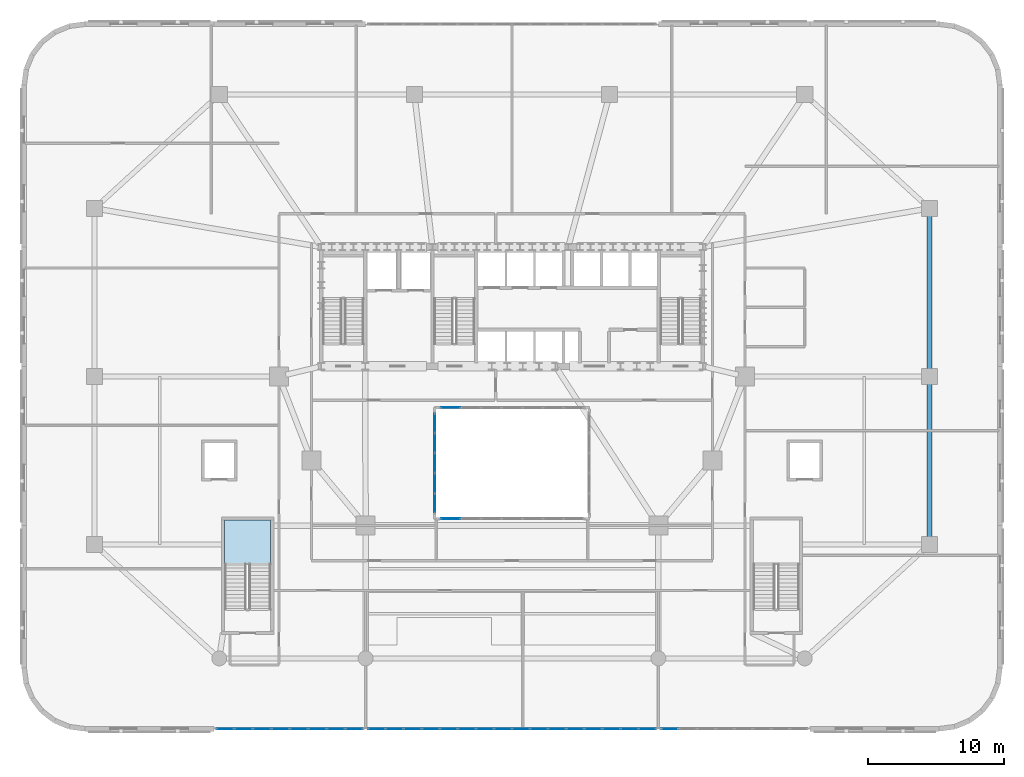
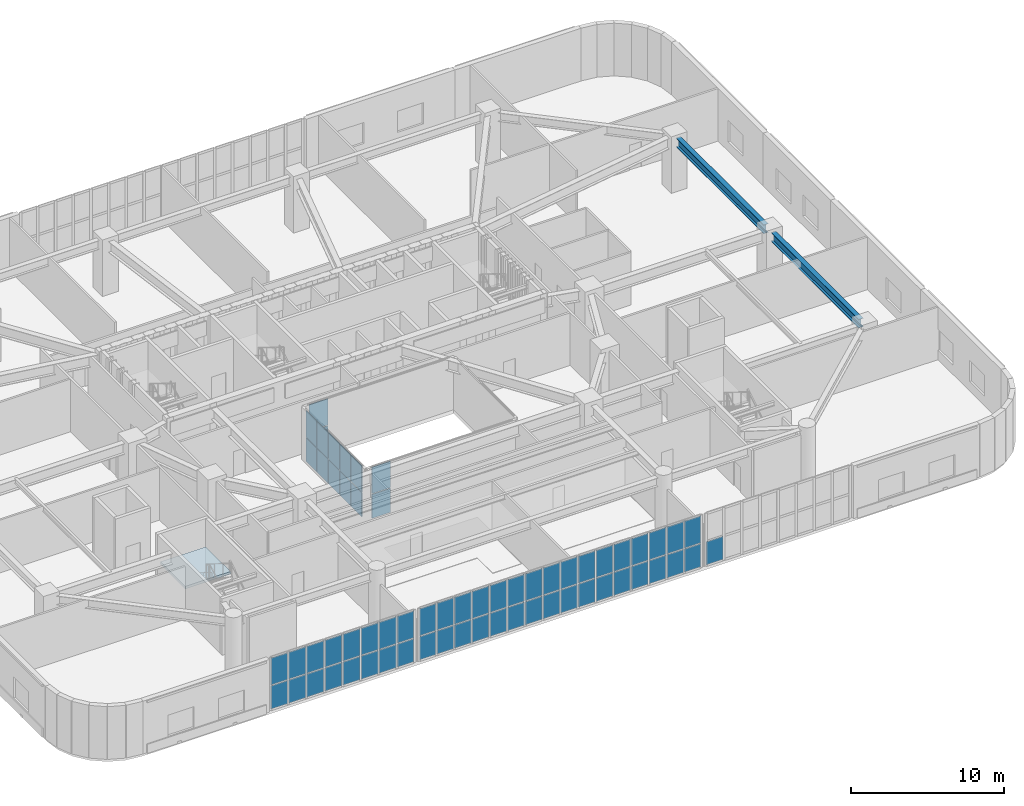
# One storey, part 11 of 25: 63 plates, 2 beams, 1 slab, 7 elements without a shape of their own.
"""IFC4 building model written with IfcOpenShell, lengths in metres."""

from ifc_helpers import new_model, si_unit, direction, frame, origin, origin_2d, place, context, subcontext, project, spatial, polyline, rectangle, i_section, outline, extrude, material, layer, layer_set, material_profile, profile_set, type_object, element, aggregate, save


model = new_model("IFC4")

# Units and contexts
model_context = context("Model", 3, precision=1e-05, world=origin(), true_north=direction((0.0, 1.0)))
body_context = subcontext(model_context, "Body", "Model", "MODEL_VIEW")
ifc_project = project(units=[si_unit("LENGTHUNIT", "METRE"), si_unit("AREAUNIT", "SQUARE_METRE"), si_unit("VOLUMEUNIT", "CUBIC_METRE"), si_unit("PLANEANGLEUNIT", "RADIAN"), si_unit("MASSUNIT", "GRAM", prefix="KILO")], contexts=[model_context])

# Site, building, storey
site_placement = place(None, origin())
site = spatial("IfcSite", under=ifc_project, at=site_placement, CompositionType="ELEMENT")
building_placement = place(site_placement, origin())
building = spatial("IfcBuilding", under=site, at=building_placement, Name="Haldorwick Loom Tower", CompositionType="ELEMENT")
storey_placement = place(building_placement, frame((0.0, 0.0, 10.5)))
storey = spatial("IfcBuildingStorey", under=building, at=storey_placement, Name="L02", CompositionType="ELEMENT", Elevation=10.5)

# Beams
ifc_material_1 = material(Name="Steel CSA G40.21 350W", Category="steel")
ifc_material_profile = material_profile(ifc_material_1, i_section(OverallWidth=0.35498046875, OverallDepth=0.695068359375, WebThickness=0.015380859375, FlangeThickness=0.02490234375, at=origin_2d()), Name="W690X217", Category="steel")
ifc_profile_set = profile_set([ifc_material_profile], Name="Steel CSA G40.21 350W")
beam_type = type_object("IfcBeamType", Name="STR-BM-SP690", PredefinedType="SPANDREL", material=ifc_profile_set)
for number, where, z_axis, x_axis, name in (
    (1, (66.800048828125, 14.080078125, 3.8525390625), (0.0, 1.0, 0.0), (-1.0, 0.0, 0.0), "L02 Podium Spandrel PSP-E1"),
    (2, (66.800048828125, 26.47998046875, 3.8525390625), (0.0, 1.0, 0.0), (-1.0, 0.0, 0.0), "L02 Podium Spandrel PSP-E2"),
):
    element("IfcBeam", number, at=place(storey_placement, frame(where, z_axis=z_axis, x_axis=x_axis)), inside=storey, type_object=beam_type, Name=name, PredefinedType="SPANDREL", context=body_context, shape_type="SweptSolid", body=[
        extrude(i_section(OverallWidth=0.35498046875, OverallDepth=0.695068359375, WebThickness=0.015380859375, FlangeThickness=0.02490234375, at=origin_2d()), origin(), (0.0, 0.0, 1.0), 11.43994140625),
    ])

# Curtain wall, plates
ifc_material_2 = material(Name="Thermally Broken Anodized Aluminium Curtain Wall Framing", Category="aluminium")
curtain_wall_type_1 = type_object("IfcCurtainWallType", Name="ARC-CW-02", PredefinedType="NOTDEFINED", material=ifc_material_2)
curtain_wall_1_placement = place(storey_placement, origin())
curtain_wall_1 = element("IfcCurtainWall", 3, at=curtain_wall_1_placement, inside=storey, type_object=curtain_wall_type_1, Name="L02 Facade Curtain Wall CW-02 Bay 39", PredefinedType="NOTDEFINED")
ifc_material_3 = material(Name="Triple-Glazed Low-E Argon Insulated Glazing Unit", Category="glass")
ifc_layer_1 = layer(ifc_material_3, 0.0400390625, Name="Triple-Glazed Low-E Argon Insulated Glazing Unit", Category="glass")
ifc_layer_set_1 = layer_set([ifc_layer_1], Name="Triple-Glazed Low-E Argon Insulated Glazing Unit")
plate_type_1 = type_object("IfcPlateType", Name="ARC-CWP-02", PredefinedType="CURTAIN_PANEL", material=ifc_layer_set_1)
plate_1_placement = place(storey_placement, frame((14.840087890625, 0.0, 0.06982421875), z_axis=(0.0, 0.0, 1.0), x_axis=(1.0, 0.0, 0.0)))
plate_1 = element("IfcPlate", 4, at=plate_1_placement, type_object=plate_type_1, Name="CW-02 panel 1.1", PredefinedType="CURTAIN_PANEL", context=body_context, shape_type="SweptSolid", body=[
    extrude(rectangle(XDim=1.260009765625, YDim=0.0400390625, at=origin_2d()), origin(), (0.0, 0.0, 1.0), 1.844970703125),
])
plate_2_placement = place(storey_placement, frame((14.840087890625, 0.0, 1.985107421875), z_axis=(0.0, 0.0, 1.0), x_axis=(1.0, 0.0, 0.0)))
plate_2 = element("IfcPlate", 5, at=plate_2_placement, type_object=plate_type_1, Name="CW-02 panel 1.2", PredefinedType="CURTAIN_PANEL", context=body_context, shape_type="SweptSolid", body=[
    extrude(rectangle(XDim=1.260009765625, YDim=0.0400390625, at=origin_2d()), origin(), (0.0, 0.0, 1.0), 2.14501953125),
])
plate_3_placement = place(storey_placement, frame((16.1875, 0.0, 0.06982421875), z_axis=(0.0, 0.0, 1.0), x_axis=(1.0, 0.0, 0.0)))
plate_3 = element("IfcPlate", 6, at=plate_3_placement, type_object=plate_type_1, Name="CW-02 panel 2.1", PredefinedType="CURTAIN_PANEL", context=body_context, shape_type="SweptSolid", body=[
    extrude(rectangle(XDim=1.294921875, YDim=0.0400390625, at=origin_2d()), origin(), (0.0, 0.0, 1.0), 1.844970703125),
])
plate_4_placement = place(storey_placement, frame((16.1875, 0.0, 1.985107421875), z_axis=(0.0, 0.0, 1.0), x_axis=(1.0, 0.0, 0.0)))
plate_4 = element("IfcPlate", 7, at=plate_4_placement, type_object=plate_type_1, Name="CW-02 panel 2.2", PredefinedType="CURTAIN_PANEL", context=body_context, shape_type="SweptSolid", body=[
    extrude(rectangle(XDim=1.294921875, YDim=0.0400390625, at=origin_2d()), origin(), (0.0, 0.0, 1.0), 2.14501953125),
])
plate_5_placement = place(storey_placement, frame((17.552490234375, 0.0, 0.06982421875), z_axis=(0.0, 0.0, 1.0), x_axis=(1.0, 0.0, 0.0)))
plate_5 = element("IfcPlate", 8, at=plate_5_placement, type_object=plate_type_1, Name="CW-02 panel 3.1", PredefinedType="CURTAIN_PANEL", context=body_context, shape_type="SweptSolid", body=[
    extrude(rectangle(XDim=1.294921875, YDim=0.0400390625, at=origin_2d()), origin(), (0.0, 0.0, 1.0), 1.844970703125),
])
plate_6_placement = place(storey_placement, frame((17.552490234375, 0.0, 1.985107421875), z_axis=(0.0, 0.0, 1.0), x_axis=(1.0, 0.0, 0.0)))
plate_6 = element("IfcPlate", 9, at=plate_6_placement, type_object=plate_type_1, Name="CW-02 panel 3.2", PredefinedType="CURTAIN_PANEL", context=body_context, shape_type="SweptSolid", body=[
    extrude(rectangle(XDim=1.294921875, YDim=0.0400390625, at=origin_2d()), origin(), (0.0, 0.0, 1.0), 2.14501953125),
])
plate_7_placement = place(storey_placement, frame((18.91748046875, 0.0, 0.06982421875), z_axis=(0.0, 0.0, 1.0), x_axis=(1.0, 0.0, 0.0)))
plate_7 = element("IfcPlate", 10, at=plate_7_placement, type_object=plate_type_1, Name="CW-02 panel 4.1", PredefinedType="CURTAIN_PANEL", context=body_context, shape_type="SweptSolid", body=[
    extrude(rectangle(XDim=1.294921875, YDim=0.0400390625, at=origin_2d()), origin(), (0.0, 0.0, 1.0), 1.844970703125),
])
plate_8_placement = place(storey_placement, frame((18.91748046875, 0.0, 1.985107421875), z_axis=(0.0, 0.0, 1.0), x_axis=(1.0, 0.0, 0.0)))
plate_8 = element("IfcPlate", 11, at=plate_8_placement, type_object=plate_type_1, Name="CW-02 panel 4.2", PredefinedType="CURTAIN_PANEL", context=body_context, shape_type="SweptSolid", body=[
    extrude(rectangle(XDim=1.294921875, YDim=0.0400390625, at=origin_2d()), origin(), (0.0, 0.0, 1.0), 2.14501953125),
])
plate_9_placement = place(storey_placement, frame((20.282470703125, 0.0, 0.06982421875), z_axis=(0.0, 0.0, 1.0), x_axis=(1.0, 0.0, 0.0)))
plate_9 = element("IfcPlate", 12, at=plate_9_placement, type_object=plate_type_1, Name="CW-02 panel 5.1", PredefinedType="CURTAIN_PANEL", context=body_context, shape_type="SweptSolid", body=[
    extrude(rectangle(XDim=1.294921875, YDim=0.0400390625, at=origin_2d()), origin(), (0.0, 0.0, 1.0), 1.844970703125),
])
plate_10_placement = place(storey_placement, frame((20.282470703125, 0.0, 1.985107421875), z_axis=(0.0, 0.0, 1.0), x_axis=(1.0, 0.0, 0.0)))
plate_10 = element("IfcPlate", 13, at=plate_10_placement, type_object=plate_type_1, Name="CW-02 panel 5.2", PredefinedType="CURTAIN_PANEL", context=body_context, shape_type="SweptSolid", body=[
    extrude(rectangle(XDim=1.294921875, YDim=0.0400390625, at=origin_2d()), origin(), (0.0, 0.0, 1.0), 2.14501953125),
])
plate_11_placement = place(storey_placement, frame((21.6474609375, 0.0, 0.06982421875), z_axis=(0.0, 0.0, 1.0), x_axis=(1.0, 0.0, 0.0)))
plate_11 = element("IfcPlate", 14, at=plate_11_placement, type_object=plate_type_1, Name="CW-02 panel 6.1", PredefinedType="CURTAIN_PANEL", context=body_context, shape_type="SweptSolid", body=[
    extrude(rectangle(XDim=1.294921875, YDim=0.0400390625, at=origin_2d()), origin(), (0.0, 0.0, 1.0), 1.844970703125),
])
plate_12_placement = place(storey_placement, frame((21.6474609375, 0.0, 1.985107421875), z_axis=(0.0, 0.0, 1.0), x_axis=(1.0, 0.0, 0.0)))
plate_12 = element("IfcPlate", 15, at=plate_12_placement, type_object=plate_type_1, Name="CW-02 panel 6.2", PredefinedType="CURTAIN_PANEL", context=body_context, shape_type="SweptSolid", body=[
    extrude(rectangle(XDim=1.294921875, YDim=0.0400390625, at=origin_2d()), origin(), (0.0, 0.0, 1.0), 2.14501953125),
])
plate_13_placement = place(storey_placement, frame((23.012451171875, 0.0, 0.06982421875), z_axis=(0.0, 0.0, 1.0), x_axis=(1.0, 0.0, 0.0)))
plate_13 = element("IfcPlate", 16, at=plate_13_placement, type_object=plate_type_1, Name="CW-02 panel 7.1", PredefinedType="CURTAIN_PANEL", context=body_context, shape_type="SweptSolid", body=[
    extrude(rectangle(XDim=1.294921875, YDim=0.0400390625, at=origin_2d()), origin(), (0.0, 0.0, 1.0), 1.844970703125),
])
plate_14_placement = place(storey_placement, frame((23.012451171875, 0.0, 1.985107421875), z_axis=(0.0, 0.0, 1.0), x_axis=(1.0, 0.0, 0.0)))
plate_14 = element("IfcPlate", 17, at=plate_14_placement, type_object=plate_type_1, Name="CW-02 panel 7.2", PredefinedType="CURTAIN_PANEL", context=body_context, shape_type="SweptSolid", body=[
    extrude(rectangle(XDim=1.294921875, YDim=0.0400390625, at=origin_2d()), origin(), (0.0, 0.0, 1.0), 2.14501953125),
])
plate_15_placement = place(storey_placement, frame((24.360107421875, 0.0, 0.06982421875), z_axis=(0.0, 0.0, 1.0), x_axis=(1.0, 0.0, 0.0)))
plate_15 = element("IfcPlate", 18, at=plate_15_placement, type_object=plate_type_1, Name="CW-02 panel 8.1", PredefinedType="CURTAIN_PANEL", context=body_context, shape_type="SweptSolid", body=[
    extrude(rectangle(XDim=1.260009765625, YDim=0.0400390625, at=origin_2d()), origin(), (0.0, 0.0, 1.0), 1.844970703125),
])
plate_16_placement = place(storey_placement, frame((24.360107421875, 0.0, 1.985107421875), z_axis=(0.0, 0.0, 1.0), x_axis=(1.0, 0.0, 0.0)))
plate_16 = element("IfcPlate", 19, at=plate_16_placement, type_object=plate_type_1, Name="CW-02 panel 8.2", PredefinedType="CURTAIN_PANEL", context=body_context, shape_type="SweptSolid", body=[
    extrude(rectangle(XDim=1.260009765625, YDim=0.0400390625, at=origin_2d()), origin(), (0.0, 0.0, 1.0), 2.14501953125),
])
aggregate(curtain_wall_1, [plate_1, plate_2, plate_3, plate_4, plate_5, plate_6, plate_7, plate_8, plate_9, plate_10, plate_11, plate_12, plate_13, plate_14, plate_15, plate_16])

curtain_wall_2_placement = place(storey_placement, origin())
curtain_wall_2 = element("IfcCurtainWall", 20, at=curtain_wall_2_placement, inside=storey, type_object=curtain_wall_type_1, Name="L02 Facade Curtain Wall CW-02 Bay 40", PredefinedType="NOTDEFINED")
plate_17_placement = place(storey_placement, frame((26.023681640625, 0.0, 0.06982421875), z_axis=(0.0, 0.0, 1.0), x_axis=(1.0, 0.0, 0.0)))
plate_17 = element("IfcPlate", 21, at=plate_17_placement, type_object=plate_type_1, Name="CW-02 panel 1.1", PredefinedType="CURTAIN_PANEL", context=body_context, shape_type="SweptSolid", body=[
    extrude(rectangle(XDim=1.2275390625, YDim=0.0400390625, at=origin_2d()), origin(), (0.0, 0.0, 1.0), 1.844970703125),
])
plate_18_placement = place(storey_placement, frame((26.023681640625, 0.0, 1.985107421875), z_axis=(0.0, 0.0, 1.0), x_axis=(1.0, 0.0, 0.0)))
plate_18 = element("IfcPlate", 22, at=plate_18_placement, type_object=plate_type_1, Name="CW-02 panel 1.2", PredefinedType="CURTAIN_PANEL", context=body_context, shape_type="SweptSolid", body=[
    extrude(rectangle(XDim=1.2275390625, YDim=0.0400390625, at=origin_2d()), origin(), (0.0, 0.0, 1.0), 2.14501953125),
])
plate_19_placement = place(storey_placement, frame((27.3388671875, 0.0, 0.06982421875), z_axis=(0.0, 0.0, 1.0), x_axis=(1.0, 0.0, 0.0)))
plate_19 = element("IfcPlate", 23, at=plate_19_placement, type_object=plate_type_1, Name="CW-02 panel 2.1", PredefinedType="CURTAIN_PANEL", context=body_context, shape_type="SweptSolid", body=[
    extrude(rectangle(XDim=1.262451171875, YDim=0.0400390625, at=origin_2d()), origin(), (0.0, 0.0, 1.0), 1.844970703125),
])
plate_20_placement = place(storey_placement, frame((27.3388671875, 0.0, 1.985107421875), z_axis=(0.0, 0.0, 1.0), x_axis=(1.0, 0.0, 0.0)))
plate_20 = element("IfcPlate", 24, at=plate_20_placement, type_object=plate_type_1, Name="CW-02 panel 2.2", PredefinedType="CURTAIN_PANEL", context=body_context, shape_type="SweptSolid", body=[
    extrude(rectangle(XDim=1.262451171875, YDim=0.0400390625, at=origin_2d()), origin(), (0.0, 0.0, 1.0), 2.14501953125),
])
plate_21_placement = place(storey_placement, frame((28.671142578125, 0.0, 0.06982421875), z_axis=(0.0, 0.0, 1.0), x_axis=(1.0, 0.0, 0.0)))
plate_21 = element("IfcPlate", 25, at=plate_21_placement, type_object=plate_type_1, Name="CW-02 panel 3.1", PredefinedType="CURTAIN_PANEL", context=body_context, shape_type="SweptSolid", body=[
    extrude(rectangle(XDim=1.262451171875, YDim=0.0400390625, at=origin_2d()), origin(), (0.0, 0.0, 1.0), 1.844970703125),
])
plate_22_placement = place(storey_placement, frame((28.671142578125, 0.0, 1.985107421875), z_axis=(0.0, 0.0, 1.0), x_axis=(1.0, 0.0, 0.0)))
plate_22 = element("IfcPlate", 26, at=plate_22_placement, type_object=plate_type_1, Name="CW-02 panel 3.2", PredefinedType="CURTAIN_PANEL", context=body_context, shape_type="SweptSolid", body=[
    extrude(rectangle(XDim=1.262451171875, YDim=0.0400390625, at=origin_2d()), origin(), (0.0, 0.0, 1.0), 2.14501953125),
])
plate_23_placement = place(storey_placement, frame((30.003662109375, 0.0, 0.06982421875), z_axis=(0.0, 0.0, 1.0), x_axis=(1.0, 0.0, 0.0)))
plate_23 = element("IfcPlate", 27, at=plate_23_placement, type_object=plate_type_1, Name="CW-02 panel 4.1", PredefinedType="CURTAIN_PANEL", context=body_context, shape_type="SweptSolid", body=[
    extrude(rectangle(XDim=1.262451171875, YDim=0.0400390625, at=origin_2d()), origin(), (0.0, 0.0, 1.0), 1.844970703125),
])
plate_24_placement = place(storey_placement, frame((30.003662109375, 0.0, 1.985107421875), z_axis=(0.0, 0.0, 1.0), x_axis=(1.0, 0.0, 0.0)))
plate_24 = element("IfcPlate", 28, at=plate_24_placement, type_object=plate_type_1, Name="CW-02 panel 4.2", PredefinedType="CURTAIN_PANEL", context=body_context, shape_type="SweptSolid", body=[
    extrude(rectangle(XDim=1.262451171875, YDim=0.0400390625, at=origin_2d()), origin(), (0.0, 0.0, 1.0), 2.14501953125),
])
plate_25_placement = place(storey_placement, frame((31.336181640625, 0.0, 0.06982421875), z_axis=(0.0, 0.0, 1.0), x_axis=(1.0, 0.0, 0.0)))
plate_25 = element("IfcPlate", 29, at=plate_25_placement, type_object=plate_type_1, Name="CW-02 panel 5.1", PredefinedType="CURTAIN_PANEL", context=body_context, shape_type="SweptSolid", body=[
    extrude(rectangle(XDim=1.262451171875, YDim=0.0400390625, at=origin_2d()), origin(), (0.0, 0.0, 1.0), 1.844970703125),
])
plate_26_placement = place(storey_placement, frame((31.336181640625, 0.0, 1.985107421875), z_axis=(0.0, 0.0, 1.0), x_axis=(1.0, 0.0, 0.0)))
plate_26 = element("IfcPlate", 30, at=plate_26_placement, type_object=plate_type_1, Name="CW-02 panel 5.2", PredefinedType="CURTAIN_PANEL", context=body_context, shape_type="SweptSolid", body=[
    extrude(rectangle(XDim=1.262451171875, YDim=0.0400390625, at=origin_2d()), origin(), (0.0, 0.0, 1.0), 2.14501953125),
])
plate_27_placement = place(storey_placement, frame((32.668701171875, 0.0, 0.06982421875), z_axis=(0.0, 0.0, 1.0), x_axis=(1.0, 0.0, 0.0)))
plate_27 = element("IfcPlate", 31, at=plate_27_placement, type_object=plate_type_1, Name="CW-02 panel 6.1", PredefinedType="CURTAIN_PANEL", context=body_context, shape_type="SweptSolid", body=[
    extrude(rectangle(XDim=1.262451171875, YDim=0.0400390625, at=origin_2d()), origin(), (0.0, 0.0, 1.0), 1.844970703125),
])
plate_28_placement = place(storey_placement, frame((32.668701171875, 0.0, 1.985107421875), z_axis=(0.0, 0.0, 1.0), x_axis=(1.0, 0.0, 0.0)))
plate_28 = element("IfcPlate", 32, at=plate_28_placement, type_object=plate_type_1, Name="CW-02 panel 6.2", PredefinedType="CURTAIN_PANEL", context=body_context, shape_type="SweptSolid", body=[
    extrude(rectangle(XDim=1.262451171875, YDim=0.0400390625, at=origin_2d()), origin(), (0.0, 0.0, 1.0), 2.14501953125),
])
plate_29_placement = place(storey_placement, frame((34.001220703125, 0.0, 0.06982421875), z_axis=(0.0, 0.0, 1.0), x_axis=(1.0, 0.0, 0.0)))
plate_29 = element("IfcPlate", 33, at=plate_29_placement, type_object=plate_type_1, Name="CW-02 panel 7.1", PredefinedType="CURTAIN_PANEL", context=body_context, shape_type="SweptSolid", body=[
    extrude(rectangle(XDim=1.262451171875, YDim=0.0400390625, at=origin_2d()), origin(), (0.0, 0.0, 1.0), 1.844970703125),
])
plate_30_placement = place(storey_placement, frame((34.001220703125, 0.0, 1.985107421875), z_axis=(0.0, 0.0, 1.0), x_axis=(1.0, 0.0, 0.0)))
plate_30 = element("IfcPlate", 34, at=plate_30_placement, type_object=plate_type_1, Name="CW-02 panel 7.2", PredefinedType="CURTAIN_PANEL", context=body_context, shape_type="SweptSolid", body=[
    extrude(rectangle(XDim=1.262451171875, YDim=0.0400390625, at=origin_2d()), origin(), (0.0, 0.0, 1.0), 2.14501953125),
])
plate_31_placement = place(storey_placement, frame((35.333740234375, 0.0, 0.06982421875), z_axis=(0.0, 0.0, 1.0), x_axis=(1.0, 0.0, 0.0)))
plate_31 = element("IfcPlate", 35, at=plate_31_placement, type_object=plate_type_1, Name="CW-02 panel 8.1", PredefinedType="CURTAIN_PANEL", context=body_context, shape_type="SweptSolid", body=[
    extrude(rectangle(XDim=1.262451171875, YDim=0.0400390625, at=origin_2d()), origin(), (0.0, 0.0, 1.0), 1.844970703125),
])
plate_32_placement = place(storey_placement, frame((35.333740234375, 0.0, 1.985107421875), z_axis=(0.0, 0.0, 1.0), x_axis=(1.0, 0.0, 0.0)))
plate_32 = element("IfcPlate", 36, at=plate_32_placement, type_object=plate_type_1, Name="CW-02 panel 8.2", PredefinedType="CURTAIN_PANEL", context=body_context, shape_type="SweptSolid", body=[
    extrude(rectangle(XDim=1.262451171875, YDim=0.0400390625, at=origin_2d()), origin(), (0.0, 0.0, 1.0), 2.14501953125),
])
plate_33_placement = place(storey_placement, frame((36.666259765625, 0.0, 0.06982421875), z_axis=(0.0, 0.0, 1.0), x_axis=(1.0, 0.0, 0.0)))
plate_33 = element("IfcPlate", 37, at=plate_33_placement, type_object=plate_type_1, Name="CW-02 panel 9.1", PredefinedType="CURTAIN_PANEL", context=body_context, shape_type="SweptSolid", body=[
    extrude(rectangle(XDim=1.262451171875, YDim=0.0400390625, at=origin_2d()), origin(), (0.0, 0.0, 1.0), 1.844970703125),
])
plate_34_placement = place(storey_placement, frame((36.666259765625, 0.0, 1.985107421875), z_axis=(0.0, 0.0, 1.0), x_axis=(1.0, 0.0, 0.0)))
plate_34 = element("IfcPlate", 38, at=plate_34_placement, type_object=plate_type_1, Name="CW-02 panel 9.2", PredefinedType="CURTAIN_PANEL", context=body_context, shape_type="SweptSolid", body=[
    extrude(rectangle(XDim=1.262451171875, YDim=0.0400390625, at=origin_2d()), origin(), (0.0, 0.0, 1.0), 2.14501953125),
])
plate_35_placement = place(storey_placement, frame((37.998779296875, 0.0, 0.06982421875), z_axis=(0.0, 0.0, 1.0), x_axis=(1.0, 0.0, 0.0)))
plate_35 = element("IfcPlate", 39, at=plate_35_placement, type_object=plate_type_1, Name="CW-02 panel 10.1", PredefinedType="CURTAIN_PANEL", context=body_context, shape_type="SweptSolid", body=[
    extrude(rectangle(XDim=1.262451171875, YDim=0.0400390625, at=origin_2d()), origin(), (0.0, 0.0, 1.0), 1.844970703125),
])
plate_36_placement = place(storey_placement, frame((37.998779296875, 0.0, 1.985107421875), z_axis=(0.0, 0.0, 1.0), x_axis=(1.0, 0.0, 0.0)))
plate_36 = element("IfcPlate", 40, at=plate_36_placement, type_object=plate_type_1, Name="CW-02 panel 10.2", PredefinedType="CURTAIN_PANEL", context=body_context, shape_type="SweptSolid", body=[
    extrude(rectangle(XDim=1.262451171875, YDim=0.0400390625, at=origin_2d()), origin(), (0.0, 0.0, 1.0), 2.14501953125),
])
plate_37_placement = place(storey_placement, frame((39.331298828125, 0.0, 0.06982421875), z_axis=(0.0, 0.0, 1.0), x_axis=(1.0, 0.0, 0.0)))
plate_37 = element("IfcPlate", 41, at=plate_37_placement, type_object=plate_type_1, Name="CW-02 panel 11.1", PredefinedType="CURTAIN_PANEL", context=body_context, shape_type="SweptSolid", body=[
    extrude(rectangle(XDim=1.262451171875, YDim=0.0400390625, at=origin_2d()), origin(), (0.0, 0.0, 1.0), 1.844970703125),
])
plate_38_placement = place(storey_placement, frame((39.331298828125, 0.0, 1.985107421875), z_axis=(0.0, 0.0, 1.0), x_axis=(1.0, 0.0, 0.0)))
plate_38 = element("IfcPlate", 42, at=plate_38_placement, type_object=plate_type_1, Name="CW-02 panel 11.2", PredefinedType="CURTAIN_PANEL", context=body_context, shape_type="SweptSolid", body=[
    extrude(rectangle(XDim=1.262451171875, YDim=0.0400390625, at=origin_2d()), origin(), (0.0, 0.0, 1.0), 2.14501953125),
])
plate_39_placement = place(storey_placement, frame((40.663818359375, 0.0, 0.06982421875), z_axis=(0.0, 0.0, 1.0), x_axis=(1.0, 0.0, 0.0)))
plate_39 = element("IfcPlate", 43, at=plate_39_placement, type_object=plate_type_1, Name="CW-02 panel 12.1", PredefinedType="CURTAIN_PANEL", context=body_context, shape_type="SweptSolid", body=[
    extrude(rectangle(XDim=1.262451171875, YDim=0.0400390625, at=origin_2d()), origin(), (0.0, 0.0, 1.0), 1.844970703125),
])
plate_40_placement = place(storey_placement, frame((40.663818359375, 0.0, 1.985107421875), z_axis=(0.0, 0.0, 1.0), x_axis=(1.0, 0.0, 0.0)))
plate_40 = element("IfcPlate", 44, at=plate_40_placement, type_object=plate_type_1, Name="CW-02 panel 12.2", PredefinedType="CURTAIN_PANEL", context=body_context, shape_type="SweptSolid", body=[
    extrude(rectangle(XDim=1.262451171875, YDim=0.0400390625, at=origin_2d()), origin(), (0.0, 0.0, 1.0), 2.14501953125),
])
plate_41_placement = place(storey_placement, frame((41.996337890625, 0.0, 0.06982421875), z_axis=(0.0, 0.0, 1.0), x_axis=(1.0, 0.0, 0.0)))
plate_41 = element("IfcPlate", 45, at=plate_41_placement, type_object=plate_type_1, Name="CW-02 panel 13.1", PredefinedType="CURTAIN_PANEL", context=body_context, shape_type="SweptSolid", body=[
    extrude(rectangle(XDim=1.262451171875, YDim=0.0400390625, at=origin_2d()), origin(), (0.0, 0.0, 1.0), 1.844970703125),
])
plate_42_placement = place(storey_placement, frame((41.996337890625, 0.0, 1.985107421875), z_axis=(0.0, 0.0, 1.0), x_axis=(1.0, 0.0, 0.0)))
plate_42 = element("IfcPlate", 46, at=plate_42_placement, type_object=plate_type_1, Name="CW-02 panel 13.2", PredefinedType="CURTAIN_PANEL", context=body_context, shape_type="SweptSolid", body=[
    extrude(rectangle(XDim=1.262451171875, YDim=0.0400390625, at=origin_2d()), origin(), (0.0, 0.0, 1.0), 2.14501953125),
])
plate_43_placement = place(storey_placement, frame((43.328857421875, 0.0, 0.06982421875), z_axis=(0.0, 0.0, 1.0), x_axis=(1.0, 0.0, 0.0)))
plate_43 = element("IfcPlate", 47, at=plate_43_placement, type_object=plate_type_1, Name="CW-02 panel 14.1", PredefinedType="CURTAIN_PANEL", context=body_context, shape_type="SweptSolid", body=[
    extrude(rectangle(XDim=1.262451171875, YDim=0.0400390625, at=origin_2d()), origin(), (0.0, 0.0, 1.0), 1.844970703125),
])
plate_44_placement = place(storey_placement, frame((43.328857421875, 0.0, 1.985107421875), z_axis=(0.0, 0.0, 1.0), x_axis=(1.0, 0.0, 0.0)))
plate_44 = element("IfcPlate", 48, at=plate_44_placement, type_object=plate_type_1, Name="CW-02 panel 14.2", PredefinedType="CURTAIN_PANEL", context=body_context, shape_type="SweptSolid", body=[
    extrude(rectangle(XDim=1.262451171875, YDim=0.0400390625, at=origin_2d()), origin(), (0.0, 0.0, 1.0), 2.14501953125),
])
plate_45_placement = place(storey_placement, frame((44.6611328125, 0.0, 0.06982421875), z_axis=(0.0, 0.0, 1.0), x_axis=(1.0, 0.0, 0.0)))
plate_45 = element("IfcPlate", 49, at=plate_45_placement, type_object=plate_type_1, Name="CW-02 panel 15.1", PredefinedType="CURTAIN_PANEL", context=body_context, shape_type="SweptSolid", body=[
    extrude(rectangle(XDim=1.262451171875, YDim=0.0400390625, at=origin_2d()), origin(), (0.0, 0.0, 1.0), 1.844970703125),
])
plate_46_placement = place(storey_placement, frame((44.6611328125, 0.0, 1.985107421875), z_axis=(0.0, 0.0, 1.0), x_axis=(1.0, 0.0, 0.0)))
plate_46 = element("IfcPlate", 50, at=plate_46_placement, type_object=plate_type_1, Name="CW-02 panel 15.2", PredefinedType="CURTAIN_PANEL", context=body_context, shape_type="SweptSolid", body=[
    extrude(rectangle(XDim=1.262451171875, YDim=0.0400390625, at=origin_2d()), origin(), (0.0, 0.0, 1.0), 2.14501953125),
])
plate_47_placement = place(storey_placement, frame((45.976318359375, 0.0, 0.06982421875), z_axis=(0.0, 0.0, 1.0), x_axis=(1.0, 0.0, 0.0)))
plate_47 = element("IfcPlate", 51, at=plate_47_placement, type_object=plate_type_1, Name="CW-02 panel 16.1", PredefinedType="CURTAIN_PANEL", context=body_context, shape_type="SweptSolid", body=[
    extrude(rectangle(XDim=1.2275390625, YDim=0.0400390625, at=origin_2d()), origin(), (0.0, 0.0, 1.0), 1.844970703125),
])
plate_48_placement = place(storey_placement, frame((45.976318359375, 0.0, 1.985107421875), z_axis=(0.0, 0.0, 1.0), x_axis=(1.0, 0.0, 0.0)))
plate_48 = element("IfcPlate", 52, at=plate_48_placement, type_object=plate_type_1, Name="CW-02 panel 16.2", PredefinedType="CURTAIN_PANEL", context=body_context, shape_type="SweptSolid", body=[
    extrude(rectangle(XDim=1.2275390625, YDim=0.0400390625, at=origin_2d()), origin(), (0.0, 0.0, 1.0), 2.14501953125),
])
aggregate(curtain_wall_2, [plate_17, plate_18, plate_19, plate_20, plate_21, plate_22, plate_23, plate_24, plate_25, plate_26, plate_27, plate_28, plate_29, plate_30, plate_31, plate_32, plate_33, plate_34, plate_35, plate_36, plate_37, plate_38, plate_39, plate_40, plate_41, plate_42, plate_43, plate_44, plate_45, plate_46, plate_47, plate_48])

# Curtain wall, plate
curtain_wall_3_placement = place(storey_placement, origin())
curtain_wall_3 = element("IfcCurtainWall", 53, at=curtain_wall_3_placement, inside=storey, type_object=curtain_wall_type_1, Name="L02 Facade Curtain Wall CW-02 Bay 41", PredefinedType="NOTDEFINED")
plate_49_placement = place(storey_placement, frame((47.639892578125, 0.0, 0.06982421875), z_axis=(0.0, 0.0, 1.0), x_axis=(1.0, 0.0, 0.0)))
plate_49 = element("IfcPlate", 54, at=plate_49_placement, type_object=plate_type_1, Name="CW-02 panel 1.1", PredefinedType="CURTAIN_PANEL", context=body_context, shape_type="SweptSolid", body=[
    extrude(rectangle(XDim=1.260009765625, YDim=0.0400390625, at=origin_2d()), origin(), (0.0, 0.0, 1.0), 1.844970703125),
])
aggregate(curtain_wall_3, [plate_49])

# Curtain wall, plates
curtain_wall_type_2 = type_object("IfcCurtainWallType", Name="ARC-CW-03", PredefinedType="NOTDEFINED", material=ifc_material_2)
curtain_wall_4_placement = place(storey_placement, origin())
curtain_wall_4 = element("IfcCurtainWall", 55, at=curtain_wall_4_placement, inside=storey, type_object=curtain_wall_type_2, Name="L02 Atrium Glazed Screen S", PredefinedType="NOTDEFINED")
ifc_layer_2 = layer(ifc_material_3, 0.04296875, Name="Triple-Glazed Low-E Argon Insulated Glazing Unit", Category="glass")
ifc_layer_set_2 = layer_set([ifc_layer_2], Name="Triple-Glazed Low-E Argon Insulated Glazing Unit")
plate_type_2 = type_object("IfcPlateType", Name="ARC-CWP-03", PredefinedType="CURTAIN_PANEL", material=ifc_layer_set_2)
plate_50_placement = place(storey_placement, frame((31.4736328125, 15.5, 0.066162109375), z_axis=(0.0, 0.0, 1.0), x_axis=(-1.0, 0.0, 0.0)))
plate_50 = element("IfcPlate", 56, at=plate_50_placement, type_object=plate_type_2, Name="CW-03 panel 7.1", PredefinedType="CURTAIN_PANEL", context=body_context, shape_type="SweptSolid", body=[
    extrude(rectangle(XDim=1.415283203125, YDim=0.04296875, at=origin_2d()), origin(), (0.0, 0.0, 1.0), 1.90087890625),
])
plate_51_placement = place(storey_placement, frame((31.4736328125, 15.5, 2.032958984375), z_axis=(0.0, 0.0, 1.0), x_axis=(-1.0, 0.0, 0.0)))
plate_51 = element("IfcPlate", 57, at=plate_51_placement, type_object=plate_type_2, Name="CW-03 panel 7.2", PredefinedType="CURTAIN_PANEL", context=body_context, shape_type="SweptSolid", body=[
    extrude(rectangle(XDim=1.415283203125, YDim=0.04296875, at=origin_2d()), origin(), (0.0, 0.0, 1.0), 2.10107421875),
])
aggregate(curtain_wall_4, [plate_50, plate_51])

curtain_wall_5_placement = place(storey_placement, origin())
curtain_wall_5 = element("IfcCurtainWall", 58, at=curtain_wall_5_placement, inside=storey, type_object=curtain_wall_type_2, Name="L02 Atrium Glazed Screen N", PredefinedType="NOTDEFINED")
plate_52_placement = place(storey_placement, frame((31.4736328125, 23.699951171875, 0.066162109375), z_axis=(0.0, 0.0, 1.0), x_axis=(1.0, 0.0, 0.0)))
plate_52 = element("IfcPlate", 59, at=plate_52_placement, type_object=plate_type_2, Name="CW-03 panel 1.1", PredefinedType="CURTAIN_PANEL", context=body_context, shape_type="SweptSolid", body=[
    extrude(rectangle(XDim=1.415283203125, YDim=0.04296875, at=origin_2d()), origin(), (0.0, 0.0, 1.0), 1.90087890625),
])
plate_53_placement = place(storey_placement, frame((31.4736328125, 23.699951171875, 2.032958984375), z_axis=(0.0, 0.0, 1.0), x_axis=(1.0, 0.0, 0.0)))
plate_53 = element("IfcPlate", 60, at=plate_53_placement, type_object=plate_type_2, Name="CW-03 panel 1.2", PredefinedType="CURTAIN_PANEL", context=body_context, shape_type="SweptSolid", body=[
    extrude(rectangle(XDim=1.415283203125, YDim=0.04296875, at=origin_2d()), origin(), (0.0, 0.0, 1.0), 2.10107421875),
])
aggregate(curtain_wall_5, [plate_52, plate_53])

curtain_wall_6_placement = place(storey_placement, origin())
curtain_wall_6 = element("IfcCurtainWall", 61, at=curtain_wall_6_placement, inside=storey, type_object=curtain_wall_type_2, Name="L02 Atrium Glazed Screen W", PredefinedType="NOTDEFINED")
plate_54_placement = place(storey_placement, frame((30.300048828125, 16.656494140625, 0.066162109375), z_axis=(0.0, 0.0, 1.0), x_axis=(0.0, 1.0, 0.0)))
plate_54 = element("IfcPlate", 62, at=plate_54_placement, type_object=plate_type_2, Name="CW-03 panel 1.1", PredefinedType="CURTAIN_PANEL", context=body_context, shape_type="SweptSolid", body=[
    extrude(rectangle(XDim=1.381103515625, YDim=0.04296875, at=origin_2d()), origin(), (0.0, 0.0, 1.0), 1.90087890625),
])
plate_55_placement = place(storey_placement, frame((30.300048828125, 16.656494140625, 2.032958984375), z_axis=(0.0, 0.0, 1.0), x_axis=(0.0, 1.0, 0.0)))
plate_55 = element("IfcPlate", 63, at=plate_55_placement, type_object=plate_type_2, Name="CW-03 panel 1.2", PredefinedType="CURTAIN_PANEL", context=body_context, shape_type="SweptSolid", body=[
    extrude(rectangle(XDim=1.381103515625, YDim=0.04296875, at=origin_2d()), origin(), (0.0, 0.0, 1.0), 2.10107421875),
])
plate_56_placement = place(storey_placement, frame((30.300048828125, 18.1201171875, 0.066162109375), z_axis=(0.0, 0.0, 1.0), x_axis=(0.0, 1.0, 0.0)))
plate_56 = element("IfcPlate", 64, at=plate_56_placement, type_object=plate_type_2, Name="CW-03 panel 2.1", PredefinedType="CURTAIN_PANEL", context=body_context, shape_type="SweptSolid", body=[
    extrude(rectangle(XDim=1.4140625, YDim=0.04296875, at=origin_2d()), origin(), (0.0, 0.0, 1.0), 1.90087890625),
])
plate_57_placement = place(storey_placement, frame((30.300048828125, 18.1201171875, 2.032958984375), z_axis=(0.0, 0.0, 1.0), x_axis=(0.0, 1.0, 0.0)))
plate_57 = element("IfcPlate", 65, at=plate_57_placement, type_object=plate_type_2, Name="CW-03 panel 2.2", PredefinedType="CURTAIN_PANEL", context=body_context, shape_type="SweptSolid", body=[
    extrude(rectangle(XDim=1.4140625, YDim=0.04296875, at=origin_2d()), origin(), (0.0, 0.0, 1.0), 2.10107421875),
])
plate_58_placement = place(storey_placement, frame((30.300048828125, 19.60009765625, 0.066162109375), z_axis=(0.0, 0.0, 1.0), x_axis=(0.0, 1.0, 0.0)))
plate_58 = element("IfcPlate", 66, at=plate_58_placement, type_object=plate_type_2, Name="CW-03 panel 3.1", PredefinedType="CURTAIN_PANEL", context=body_context, shape_type="SweptSolid", body=[
    extrude(rectangle(XDim=1.4140625, YDim=0.04296875, at=origin_2d()), origin(), (0.0, 0.0, 1.0), 1.90087890625),
])
plate_59_placement = place(storey_placement, frame((30.300048828125, 19.60009765625, 2.032958984375), z_axis=(0.0, 0.0, 1.0), x_axis=(0.0, 1.0, 0.0)))
plate_59 = element("IfcPlate", 67, at=plate_59_placement, type_object=plate_type_2, Name="CW-03 panel 3.2", PredefinedType="CURTAIN_PANEL", context=body_context, shape_type="SweptSolid", body=[
    extrude(rectangle(XDim=1.4140625, YDim=0.04296875, at=origin_2d()), origin(), (0.0, 0.0, 1.0), 2.10107421875),
])
plate_60_placement = place(storey_placement, frame((30.300048828125, 21.080078125, 0.066162109375), z_axis=(0.0, 0.0, 1.0), x_axis=(0.0, 1.0, 0.0)))
plate_60 = element("IfcPlate", 68, at=plate_60_placement, type_object=plate_type_2, Name="CW-03 panel 4.1", PredefinedType="CURTAIN_PANEL", context=body_context, shape_type="SweptSolid", body=[
    extrude(rectangle(XDim=1.4140625, YDim=0.04296875, at=origin_2d()), origin(), (0.0, 0.0, 1.0), 1.90087890625),
])
plate_61_placement = place(storey_placement, frame((30.300048828125, 21.080078125, 2.032958984375), z_axis=(0.0, 0.0, 1.0), x_axis=(0.0, 1.0, 0.0)))
plate_61 = element("IfcPlate", 69, at=plate_61_placement, type_object=plate_type_2, Name="CW-03 panel 4.2", PredefinedType="CURTAIN_PANEL", context=body_context, shape_type="SweptSolid", body=[
    extrude(rectangle(XDim=1.4140625, YDim=0.04296875, at=origin_2d()), origin(), (0.0, 0.0, 1.0), 2.10107421875),
])
plate_62_placement = place(storey_placement, frame((30.300048828125, 22.54345703125, 0.066162109375), z_axis=(0.0, 0.0, 1.0), x_axis=(0.0, 1.0, 0.0)))
plate_62 = element("IfcPlate", 70, at=plate_62_placement, type_object=plate_type_2, Name="CW-03 panel 5.1", PredefinedType="CURTAIN_PANEL", context=body_context, shape_type="SweptSolid", body=[
    extrude(rectangle(XDim=1.381103515625, YDim=0.04296875, at=origin_2d()), origin(), (0.0, 0.0, 1.0), 1.90087890625),
])
plate_63_placement = place(storey_placement, frame((30.300048828125, 22.54345703125, 2.032958984375), z_axis=(0.0, 0.0, 1.0), x_axis=(0.0, 1.0, 0.0)))
plate_63 = element("IfcPlate", 71, at=plate_63_placement, type_object=plate_type_2, Name="CW-03 panel 5.2", PredefinedType="CURTAIN_PANEL", context=body_context, shape_type="SweptSolid", body=[
    extrude(rectangle(XDim=1.381103515625, YDim=0.04296875, at=origin_2d()), origin(), (0.0, 0.0, 1.0), 2.10107421875),
])
aggregate(curtain_wall_6, [plate_54, plate_55, plate_56, plate_57, plate_58, plate_59, plate_60, plate_61, plate_62, plate_63])

# Stair, slab
ifc_material_4 = material(Name="Concrete C40 (40 MPa)", Category="concrete")
stair_type = type_object("IfcStairType", Name="STR-STR-POD", PredefinedType="HALF_TURN_STAIR", material=ifc_material_4)
stair_placement = place(storey_placement, origin())
stair = element("IfcStair", 72, at=stair_placement, inside=storey, type_object=stair_type, Name="L02 Exit Stair ST-P1", PredefinedType="HALF_TURN_STAIR")
ifc_layer_3 = layer(ifc_material_4, 0.199951171875, Name="Concrete C40 (40 MPa)", Category="concrete")
ifc_layer_set_3 = layer_set([ifc_layer_3], Name="Concrete C40 (40 MPa)")
slab_type = type_object("IfcSlabType", Name="STR-SLB-LAND200", PredefinedType="LANDING", material=ifc_layer_set_3)
slab_placement = place(storey_placement, frame((0.0, 0.0, 2.050048828125)))
slab = element("IfcSlab", 73, at=slab_placement, type_object=slab_type, Name="ST-P1 landing 1", PredefinedType="LANDING", context=body_context, shape_type="SweptSolid", body=[
    extrude(outline(polyline([(18.199951171875, 12.159912109375), (18.199951171875, 15.39990234375), (14.800048828125, 15.39990234375), (14.800048828125, 12.159912109375), (18.199951171875, 12.159912109375)])), origin(), (0.0, 0.0, 1.0), 0.199951171875),
])
aggregate(stair, [slab])

save(model, "model.ifc")
